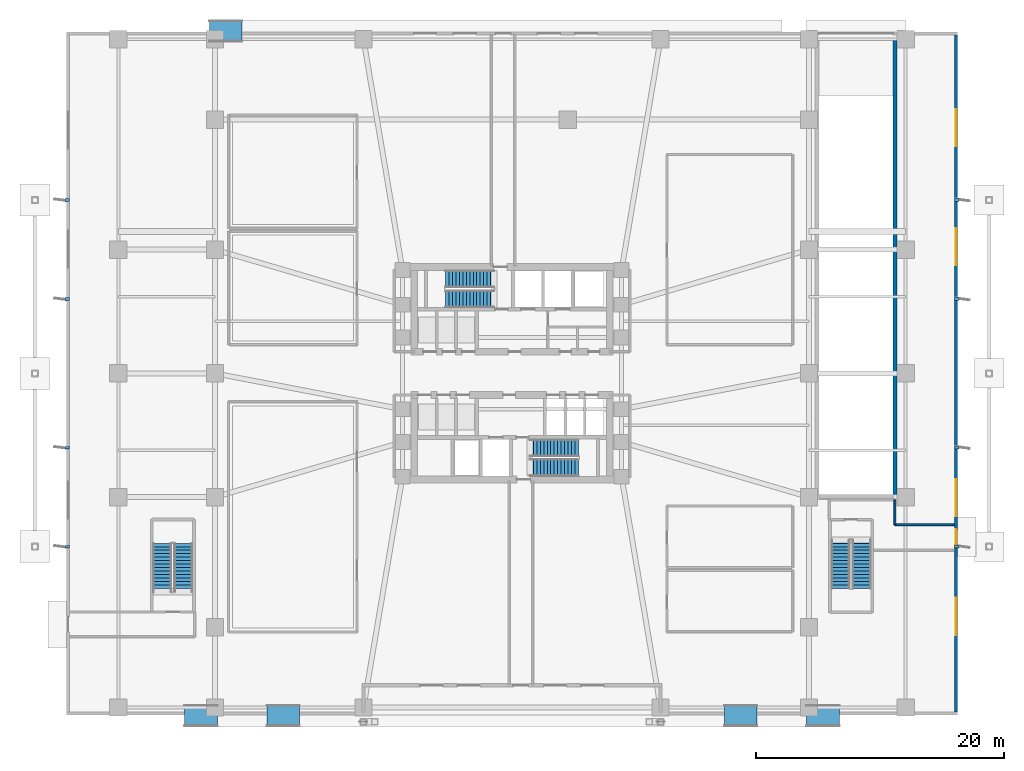
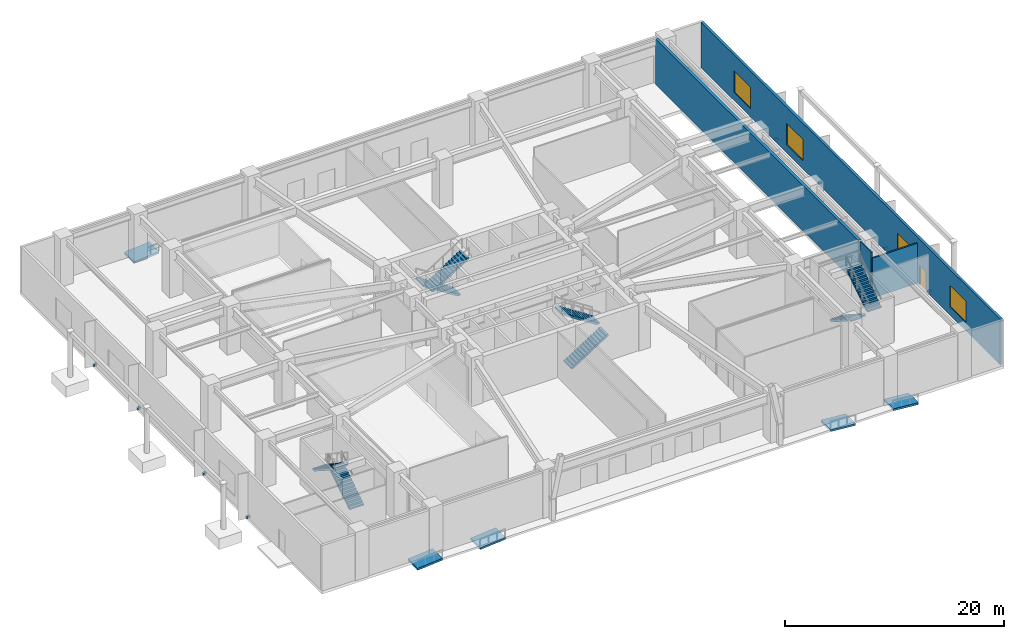
# One storey, part 14 of 20: 8 discrete accessories, 8 stair flights, 5 ramp flights, 4 walls, 4 windows, 1 door, 5 openings, 9 elements without a shape of their own.
"""IFC4 building model written with IfcOpenShell, lengths in metres."""

from ifc_helpers import new_model, si_unit, direction, frame, frame_2d, origin, origin_2d, place, context, subcontext, project, spatial, polyline, rectangle, outline, extrude, material, layer, layer_set, type_object, element, fill, aggregate, save


model = new_model("IFC4")

# Units and contexts
model_context = context("Model", 3, precision=1e-05, world=origin(), true_north=direction((0.0, 1.0)))
body_context = subcontext(model_context, "Body", "Model", "MODEL_VIEW")
ifc_project = project(units=[si_unit("LENGTHUNIT", "METRE"), si_unit("AREAUNIT", "SQUARE_METRE"), si_unit("VOLUMEUNIT", "CUBIC_METRE"), si_unit("PLANEANGLEUNIT", "RADIAN"), si_unit("MASSUNIT", "GRAM", prefix="KILO")], contexts=[model_context])

# Site, building, storey
site_placement = place(None, origin())
site = spatial("IfcSite", under=ifc_project, at=site_placement, CompositionType="ELEMENT")
building_placement = place(site_placement, origin())
building = spatial("IfcBuilding", under=site, at=building_placement, Name="Solmarez Civic Tower", CompositionType="ELEMENT")
storey_placement = place(building_placement, origin())
storey = spatial("IfcBuildingStorey", under=building, at=storey_placement, Name="L00", CompositionType="ELEMENT", Elevation=0.0)

# Wall, openings, door, windows
ifc_material_1 = material(Name="Precast concrete C40/50", Category="concrete")
ifc_layer_1 = layer(ifc_material_1, 0.260009765625)
ifc_layer_set_1 = layer_set([ifc_layer_1], Name="Precast concrete C40/50")
wall_type_1 = type_object("IfcWallType", Name="WALL-EXT-260", PredefinedType="SOLIDWALL", material=ifc_layer_set_1)
wall_1_placement = place(storey_placement, frame((35.8701171875, 27.340087890625, 0.0), z_axis=(0.0, 0.0, 1.0), x_axis=(0.0, -1.0, 0.0)))
wall_1 = element("IfcWall", 1, at=wall_1_placement, inside=storey, type_object=wall_type_1, Name="L00 East Exterior Precast Wall", PredefinedType="SOLIDWALL", context=body_context, shape_type="SweptSolid", body=[
    extrude(rectangle(XDim=54.68017578125, YDim=0.260009765625, at=frame_2d((27.340087890625, 0.0))), origin(), (0.0, 0.0, 1.0), 5.080078125),
])
opening_1_placement = place(wall_1_placement, frame((39.93994140625, 0.0, 0.0)))
opening_1 = element("IfcOpeningElement", 2, at=opening_1_placement, cuts=wall_1, Name="Opening D-03", PredefinedType="OPENING", context=body_context, shape_type="SweptSolid", body=[
    extrude(rectangle(XDim=1.199951171875, YDim=2.14990234375, at=frame_2d((0.60009765625, 1.074951171875))), frame((0.0, 0.139892578125, 0.0), z_axis=(0.0, -1.0, 0.0), x_axis=(1.0, 0.0, 0.0)), (0.0, 0.0, 1.0), 0.280029296875),
])
opening_2_placement = place(wall_1_placement, frame((6.0, 0.0, 0.89990234375)))
opening_2 = element("IfcOpeningElement", 3, at=opening_2_placement, cuts=wall_1, Name="Opening W-15", PredefinedType="OPENING", context=body_context, shape_type="SweptSolid", body=[
    extrude(rectangle(XDim=3.0, YDim=2.39990234375, at=frame_2d((1.5, 1.199951171875))), frame((0.0, 0.139892578125, 0.0), z_axis=(0.0, -1.0, 0.0), x_axis=(1.0, 0.0, 0.0)), (0.0, 0.0, 1.0), 0.280029296875),
])
opening_3_placement = place(wall_1_placement, frame((15.60009765625, 0.0, 0.89990234375)))
opening_3 = element("IfcOpeningElement", 4, at=opening_3_placement, cuts=wall_1, Name="Opening W-15", PredefinedType="OPENING", context=body_context, shape_type="SweptSolid", body=[
    extrude(rectangle(XDim=3.0, YDim=2.39990234375, at=frame_2d((1.5, 1.199951171875))), frame((0.0, 0.139892578125, 0.0), z_axis=(0.0, -1.0, 0.0), x_axis=(1.0, 0.0, 0.0)), (0.0, 0.0, 1.0), 0.280029296875),
])
opening_4_placement = place(wall_1_placement, frame((35.8798828125, 0.0, 0.89990234375)))
opening_4 = element("IfcOpeningElement", 5, at=opening_4_placement, cuts=wall_1, Name="Opening W-15", PredefinedType="OPENING", context=body_context, shape_type="SweptSolid", body=[
    extrude(rectangle(XDim=3.0, YDim=2.39990234375, at=frame_2d((1.5, 1.199951171875))), frame((0.0, 0.139892578125, 0.0), z_axis=(0.0, -1.0, 0.0), x_axis=(1.0, 0.0, 0.0)), (0.0, 0.0, 1.0), 0.280029296875),
])
opening_5_placement = place(wall_1_placement, frame((45.47998046875, 0.0, 0.89990234375)))
opening_5 = element("IfcOpeningElement", 6, at=opening_5_placement, cuts=wall_1, Name="Opening W-15", PredefinedType="OPENING", context=body_context, shape_type="SweptSolid", body=[
    extrude(rectangle(XDim=3.0, YDim=2.39990234375, at=frame_2d((1.5, 1.199951171875))), frame((0.0, 0.139892578125, 0.0), z_axis=(0.0, -1.0, 0.0), x_axis=(1.0, 0.0, 0.0)), (0.0, 0.0, 1.0), 0.280029296875),
])
ifc_material_2 = material(Name="Stainless Steel Fire Exit Door", Category="steel")
door_type = type_object("IfcDoorType", Name="DOOR-EXIT-1200", OperationType="NOTDEFINED", PredefinedType="DOOR", material=ifc_material_2)
door_placement = place(opening_1_placement, origin())
door = element("IfcDoor", 7, at=door_placement, inside=storey, type_object=door_type, Name="L00 East Stair Final Exit Door", OperationType="SINGLE_SWING_LEFT", OverallHeight=2.14990234375, OverallWidth=1.199951171875, PredefinedType="DOOR", context=body_context, shape_type="SweptSolid", body=[
    extrude(rectangle(XDim=1.199951171875, YDim=2.14990234375, at=frame_2d((0.60009765625, 1.074951171875))), frame((0.0, 0.02490234375, 0.0), z_axis=(0.0, -1.0, 0.0), x_axis=(1.0, 0.0, 0.0)), (0.0, 0.0, 1.0), 0.050048828125),
])
fill(opening_1, door)
ifc_material_3 = material(Name="Solar Control Bronze-Tinted Insulating Glass", Category="glass")
window_type = type_object("IfcWindowType", Name="WIN-3000X2400", PartitioningType="SINGLE_PANEL", PredefinedType="WINDOW", material=ifc_material_3)
window_1_placement = place(opening_2_placement, origin())
window_1 = element("IfcWindow", 8, at=window_1_placement, inside=storey, type_object=window_type, Name="L00 Podium Facade Window 1", OverallHeight=2.39990234375, OverallWidth=3.0, PartitioningType="SINGLE_PANEL", PredefinedType="WINDOW", context=body_context, shape_type="SweptSolid", body=[
    extrude(rectangle(XDim=3.0, YDim=2.39990234375, at=frame_2d((1.5, 1.199951171875))), frame((0.0, 0.030029296875, 0.0), z_axis=(0.0, -1.0, 0.0), x_axis=(1.0, 0.0, 0.0)), (0.0, 0.0, 1.0), 0.06005859375),
])
fill(opening_2, window_1)
window_2_placement = place(opening_3_placement, origin())
window_2 = element("IfcWindow", 9, at=window_2_placement, inside=storey, type_object=window_type, Name="L00 Podium Facade Window 2", OverallHeight=2.39990234375, OverallWidth=3.0, PartitioningType="SINGLE_PANEL", PredefinedType="WINDOW", context=body_context, shape_type="SweptSolid", body=[
    extrude(rectangle(XDim=3.0, YDim=2.39990234375, at=frame_2d((1.5, 1.199951171875))), frame((0.0, 0.030029296875, 0.0), z_axis=(0.0, -1.0, 0.0), x_axis=(1.0, 0.0, 0.0)), (0.0, 0.0, 1.0), 0.06005859375),
])
fill(opening_3, window_2)
window_3_placement = place(opening_4_placement, origin())
window_3 = element("IfcWindow", 10, at=window_3_placement, inside=storey, type_object=window_type, Name="L00 Podium Facade Window 3", OverallHeight=2.39990234375, OverallWidth=3.0, PartitioningType="SINGLE_PANEL", PredefinedType="WINDOW", context=body_context, shape_type="SweptSolid", body=[
    extrude(rectangle(XDim=3.0, YDim=2.39990234375, at=frame_2d((1.5, 1.199951171875))), frame((0.0, 0.030029296875, 0.0), z_axis=(0.0, -1.0, 0.0), x_axis=(1.0, 0.0, 0.0)), (0.0, 0.0, 1.0), 0.06005859375),
])
fill(opening_4, window_3)
window_4_placement = place(opening_5_placement, origin())
window_4 = element("IfcWindow", 11, at=window_4_placement, inside=storey, type_object=window_type, Name="L00 Podium Facade Window 4", OverallHeight=2.39990234375, OverallWidth=3.0, PartitioningType="SINGLE_PANEL", PredefinedType="WINDOW", context=body_context, shape_type="SweptSolid", body=[
    extrude(rectangle(XDim=3.0, YDim=2.39990234375, at=frame_2d((1.5, 1.199951171875))), frame((0.0, 0.030029296875, 0.0), z_axis=(0.0, -1.0, 0.0), x_axis=(1.0, 0.0, 0.0)), (0.0, 0.0, 1.0), 0.06005859375),
])
fill(opening_5, window_4)

# Walls
ifc_material_4 = material(Name="Gypsum Board Acoustic Steel-Stud Partition", Category="steel")
ifc_layer_2 = layer(ifc_material_4, 0.14990234375)
ifc_layer_set_2 = layer_set([ifc_layer_2], Name="Gypsum Board Acoustic Steel-Stud Partition")
wall_type_2 = type_object("IfcWallType", Name="WALL-INT-FIRE-150", PredefinedType="PARTITIONING", material=ifc_layer_set_2)
wall_2_placement = place(storey_placement, frame((30.929931640625, -12.219970703125, 0.0), z_axis=(0.0, 0.0, 1.0), x_axis=(0.0, 1.0, 0.0)))
element("IfcWall", 12, at=wall_2_placement, inside=storey, type_object=wall_type_2, Name="L00 Interior Partition EPW-EN2-L00", PredefinedType="PARTITIONING", context=body_context, shape_type="SweptSolid", body=[
    extrude(rectangle(XDim=2.0, YDim=0.14990234375, at=frame_2d((1.0, 0.0))), origin(), (0.0, 0.0, 1.0), 5.080078125),
])
wall_3_placement = place(storey_placement, frame((30.929931640625, -12.219970703125, 0.0), z_axis=(0.0, 0.0, 1.0), x_axis=(1.0, 0.0, 0.0)))
element("IfcWall", 13, at=wall_3_placement, inside=storey, type_object=wall_type_2, Name="L00 Interior Partition EPW-EN3-L00", PredefinedType="PARTITIONING", context=body_context, shape_type="SweptSolid", body=[
    extrude(rectangle(XDim=4.7900390625, YDim=0.14990234375, at=frame_2d((2.39501953125, 0.0))), origin(), (0.0, 0.0, 1.0), 4.4599609375),
])
ifc_material_5 = material(Name="Concrete C50/60", Category="concrete")
ifc_layer_3 = layer(ifc_material_5, 0.300048828125)
ifc_layer_set_3 = layer_set([ifc_layer_3], Name="Concrete C50/60")
wall_type_3 = type_object("IfcWallType", Name="WALL-STR-300", PredefinedType="SOLIDWALL", material=ifc_layer_set_3)
wall_4_placement = place(storey_placement, frame((30.949951171875, 27.10009765625, 0.0), z_axis=(0.0, 0.0, 1.0), x_axis=(0.0, -1.0, 0.0)))
element("IfcWall", 14, at=wall_4_placement, inside=storey, type_object=wall_type_3, Name="L00 Vehicle Ramp Structural Shaft Wall SW-RAMP-E-L00", PredefinedType="SOLIDWALL", context=body_context, shape_type="SweptSolid", body=[
    extrude(rectangle(XDim=37.050048828125, YDim=0.300048828125, at=frame_2d((18.52490234375, 0.0))), origin(), (0.0, 0.0, 1.0), 5.080078125),
])

# Stair, stair flights
stair_type_1 = type_object("IfcStairType", Name="STAIR-DOGLEG-140W-30R-1800", PredefinedType="HALF_TURN_STAIR", material=ifc_material_5)
stair_1_placement = place(storey_placement, origin())
stair_1 = element("IfcStair", 15, at=stair_1_placement, inside=storey, type_object=stair_type_1, Name="L00 North Core Protected Exit Stair ST-1", PredefinedType="HALF_TURN_STAIR")
stair_flight_type_1 = type_object("IfcStairFlightType", Name="FLIGHT-DOGLEG-140W-15R-1800", PredefinedType="STRAIGHT", material=ifc_material_5)
stair_flight_1_placement = place(storey_placement, frame((-1.449951171875, 7.6201171875, 0.0), z_axis=(0.0, 0.0, 1.0), x_axis=(-1.0, 0.0, 0.0)))
stair_flight_1 = element("IfcStairFlight", 16, at=stair_flight_1_placement, type_object=stair_flight_type_1, Name="ST-1 flight 1", NumberOfRisers=15, NumberOfTreads=14, PredefinedType="STRAIGHT", RiserHeight=0.18, TreadLength=0.28, context=body_context, shape_type="SweptSolid", body=[
    extrude(outline(polyline([(0.0, 0.0), (0.0, 0.179931640625), (0.280029296875, 0.179931640625), (0.280029296875, 0.360107421875), (0.56005859375, 0.360107421875), (0.56005859375, 0.5400390625), (0.840087890625, 0.5400390625), (0.840087890625, 0.719970703125), (1.1201171875, 0.719970703125), (1.1201171875, 0.89990234375), (1.39990234375, 0.89990234375), (1.39990234375, 1.080078125), (1.679931640625, 1.080078125), (1.679931640625, 1.260009765625), (1.9599609375, 1.260009765625), (1.9599609375, 1.43994140625), (2.239990234375, 1.43994140625), (2.239990234375, 1.6201171875), (2.52001953125, 1.6201171875), (2.52001953125, 1.800048828125), (2.800048828125, 1.800048828125), (2.800048828125, 1.97998046875), (3.080078125, 1.97998046875), (3.080078125, 2.159912109375), (3.360107421875, 2.159912109375), (3.360107421875, 2.340087890625), (3.639892578125, 2.340087890625), (3.639892578125, 2.52001953125), (3.919921875, 2.52001953125), (3.919921875, 2.699951171875), (3.919921875, 2.329833984375), (0.295654296875, 0.0), (0.0, 0.0)])), frame((0.0, 0.699951171875, 0.0), z_axis=(0.0, -1.0, 0.0), x_axis=(1.0, 0.0, 0.0)), (0.0, 0.0, 1.0), 1.39990234375),
])
stair_flight_2_placement = place(storey_placement, frame((-5.3701171875, 6.02001953125, 2.699951171875), z_axis=(0.0, 0.0, 1.0), x_axis=(1.0, 0.0, 0.0)))
stair_flight_2 = element("IfcStairFlight", 17, at=stair_flight_2_placement, type_object=stair_flight_type_1, Name="ST-1 flight 2", NumberOfRisers=15, NumberOfTreads=14, PredefinedType="STRAIGHT", RiserHeight=0.18, TreadLength=0.28, context=body_context, shape_type="SweptSolid", body=[
    extrude(outline(polyline([(0.0, 0.0), (0.0, 0.179931640625), (0.280029296875, 0.179931640625), (0.280029296875, 0.360107421875), (0.56005859375, 0.360107421875), (0.56005859375, 0.5400390625), (0.840087890625, 0.5400390625), (0.840087890625, 0.719970703125), (1.1201171875, 0.719970703125), (1.1201171875, 0.89990234375), (1.39990234375, 0.89990234375), (1.39990234375, 1.080078125), (1.679931640625, 1.080078125), (1.679931640625, 1.260009765625), (1.9599609375, 1.260009765625), (1.9599609375, 1.43994140625), (2.239990234375, 1.43994140625), (2.239990234375, 1.6201171875), (2.52001953125, 1.6201171875), (2.52001953125, 1.800048828125), (2.800048828125, 1.800048828125), (2.800048828125, 1.97998046875), (3.080078125, 1.97998046875), (3.080078125, 2.159912109375), (3.360107421875, 2.159912109375), (3.360107421875, 2.340087890625), (3.639892578125, 2.340087890625), (3.639892578125, 2.52001953125), (3.919921875, 2.52001953125), (3.919921875, 2.699951171875), (3.919921875, 2.329833984375), (0.295654296875, 0.0), (0.0, 0.0)])), frame((0.0, 0.699951171875, 0.0), z_axis=(0.0, -1.0, 0.0), x_axis=(1.0, 0.0, 0.0)), (0.0, 0.0, 1.0), 1.39990234375),
])
aggregate(stair_1, [stair_flight_1, stair_flight_2])

stair_2_placement = place(storey_placement, origin())
stair_2 = element("IfcStair", 18, at=stair_2_placement, inside=storey, type_object=stair_type_1, Name="L00 South Core Protected Exit Stair ST-2", PredefinedType="HALF_TURN_STAIR")
stair_flight_3_placement = place(storey_placement, frame((1.449951171875, -7.6201171875, 0.0), z_axis=(0.0, 0.0, 1.0), x_axis=(1.0, 0.0, 0.0)))
stair_flight_3 = element("IfcStairFlight", 19, at=stair_flight_3_placement, type_object=stair_flight_type_1, Name="ST-2 flight 1", NumberOfRisers=15, NumberOfTreads=14, PredefinedType="STRAIGHT", RiserHeight=0.18, TreadLength=0.28, context=body_context, shape_type="SweptSolid", body=[
    extrude(outline(polyline([(0.0, 0.0), (0.0, 0.179931640625), (0.280029296875, 0.179931640625), (0.280029296875, 0.360107421875), (0.56005859375, 0.360107421875), (0.56005859375, 0.5400390625), (0.840087890625, 0.5400390625), (0.840087890625, 0.719970703125), (1.1201171875, 0.719970703125), (1.1201171875, 0.89990234375), (1.39990234375, 0.89990234375), (1.39990234375, 1.080078125), (1.679931640625, 1.080078125), (1.679931640625, 1.260009765625), (1.9599609375, 1.260009765625), (1.9599609375, 1.43994140625), (2.239990234375, 1.43994140625), (2.239990234375, 1.6201171875), (2.52001953125, 1.6201171875), (2.52001953125, 1.800048828125), (2.800048828125, 1.800048828125), (2.800048828125, 1.97998046875), (3.080078125, 1.97998046875), (3.080078125, 2.159912109375), (3.360107421875, 2.159912109375), (3.360107421875, 2.340087890625), (3.639892578125, 2.340087890625), (3.639892578125, 2.52001953125), (3.919921875, 2.52001953125), (3.919921875, 2.699951171875), (3.919921875, 2.329833984375), (0.295654296875, 0.0), (0.0, 0.0)])), frame((0.0, 0.699951171875, 0.0), z_axis=(0.0, -1.0, 0.0), x_axis=(1.0, 0.0, 0.0)), (0.0, 0.0, 1.0), 1.39990234375),
])
stair_flight_4_placement = place(storey_placement, frame((5.3701171875, -6.02001953125, 2.699951171875), z_axis=(0.0, 0.0, 1.0), x_axis=(-1.0, 0.0, 0.0)))
stair_flight_4 = element("IfcStairFlight", 20, at=stair_flight_4_placement, type_object=stair_flight_type_1, Name="ST-2 flight 2", NumberOfRisers=15, NumberOfTreads=14, PredefinedType="STRAIGHT", RiserHeight=0.18, TreadLength=0.28, context=body_context, shape_type="SweptSolid", body=[
    extrude(outline(polyline([(0.0, 0.0), (0.0, 0.179931640625), (0.280029296875, 0.179931640625), (0.280029296875, 0.360107421875), (0.56005859375, 0.360107421875), (0.56005859375, 0.5400390625), (0.840087890625, 0.5400390625), (0.840087890625, 0.719970703125), (1.1201171875, 0.719970703125), (1.1201171875, 0.89990234375), (1.39990234375, 0.89990234375), (1.39990234375, 1.080078125), (1.679931640625, 1.080078125), (1.679931640625, 1.260009765625), (1.9599609375, 1.260009765625), (1.9599609375, 1.43994140625), (2.239990234375, 1.43994140625), (2.239990234375, 1.6201171875), (2.52001953125, 1.6201171875), (2.52001953125, 1.800048828125), (2.800048828125, 1.800048828125), (2.800048828125, 1.97998046875), (3.080078125, 1.97998046875), (3.080078125, 2.159912109375), (3.360107421875, 2.159912109375), (3.360107421875, 2.340087890625), (3.639892578125, 2.340087890625), (3.639892578125, 2.52001953125), (3.919921875, 2.52001953125), (3.919921875, 2.699951171875), (3.919921875, 2.329833984375), (0.295654296875, 0.0), (0.0, 0.0)])), frame((0.0, 0.699951171875, 0.0), z_axis=(0.0, -1.0, 0.0), x_axis=(1.0, 0.0, 0.0)), (0.0, 0.0, 1.0), 1.39990234375),
])
aggregate(stair_2, [stair_flight_3, stair_flight_4])

stair_type_2 = type_object("IfcStairType", Name="STAIR-DOGLEG-150W-30R-1800", PredefinedType="HALF_TURN_STAIR", material=ifc_material_5)
stair_3_placement = place(storey_placement, origin())
stair_3 = element("IfcStair", 21, at=stair_3_placement, inside=storey, type_object=stair_type_2, Name="L00 West Podium Exit Stair ST-P1", PredefinedType="HALF_TURN_STAIR")
stair_flight_type_2 = type_object("IfcStairFlightType", Name="FLIGHT-DOGLEG-150W-15R-1800", PredefinedType="STRAIGHT", material=ifc_material_5)
stair_flight_5_placement = place(storey_placement, frame((-26.550048828125, -17.64990234375, 0.0), z_axis=(0.0, 0.0, 1.0), x_axis=(0.0, 1.0, 0.0)))
stair_flight_5 = element("IfcStairFlight", 22, at=stair_flight_5_placement, type_object=stair_flight_type_2, Name="ST-P1 flight 1", NumberOfRisers=15, NumberOfTreads=14, PredefinedType="STRAIGHT", RiserHeight=0.18, TreadLength=0.28, context=body_context, shape_type="SweptSolid", body=[
    extrude(outline(polyline([(0.0, 0.0), (0.0, 0.179931640625), (0.280029296875, 0.179931640625), (0.280029296875, 0.360107421875), (0.56005859375, 0.360107421875), (0.56005859375, 0.5400390625), (0.840087890625, 0.5400390625), (0.840087890625, 0.719970703125), (1.1201171875, 0.719970703125), (1.1201171875, 0.89990234375), (1.39990234375, 0.89990234375), (1.39990234375, 1.080078125), (1.679931640625, 1.080078125), (1.679931640625, 1.260009765625), (1.9599609375, 1.260009765625), (1.9599609375, 1.43994140625), (2.239990234375, 1.43994140625), (2.239990234375, 1.6201171875), (2.52001953125, 1.6201171875), (2.52001953125, 1.800048828125), (2.800048828125, 1.800048828125), (2.800048828125, 1.97998046875), (3.080078125, 1.97998046875), (3.080078125, 2.159912109375), (3.360107421875, 2.159912109375), (3.360107421875, 2.340087890625), (3.639892578125, 2.340087890625), (3.639892578125, 2.52001953125), (3.919921875, 2.52001953125), (3.919921875, 2.699951171875), (3.919921875, 2.329833984375), (0.295654296875, 0.0), (0.0, 0.0)])), frame((0.0, 0.75, 0.0), z_axis=(0.0, -1.0, 0.0), x_axis=(1.0, 0.0, 0.0)), (0.0, 0.0, 1.0), 1.5),
])
stair_flight_6_placement = place(storey_placement, frame((-28.25, -13.72998046875, 2.699951171875), z_axis=(0.0, 0.0, 1.0), x_axis=(0.0, -1.0, 0.0)))
stair_flight_6 = element("IfcStairFlight", 23, at=stair_flight_6_placement, type_object=stair_flight_type_2, Name="ST-P1 flight 2", NumberOfRisers=15, NumberOfTreads=14, PredefinedType="STRAIGHT", RiserHeight=0.18, TreadLength=0.28, context=body_context, shape_type="SweptSolid", body=[
    extrude(outline(polyline([(0.0, 0.0), (0.0, 0.179931640625), (0.280029296875, 0.179931640625), (0.280029296875, 0.360107421875), (0.56005859375, 0.360107421875), (0.56005859375, 0.5400390625), (0.840087890625, 0.5400390625), (0.840087890625, 0.719970703125), (1.1201171875, 0.719970703125), (1.1201171875, 0.89990234375), (1.39990234375, 0.89990234375), (1.39990234375, 1.080078125), (1.679931640625, 1.080078125), (1.679931640625, 1.260009765625), (1.9599609375, 1.260009765625), (1.9599609375, 1.43994140625), (2.239990234375, 1.43994140625), (2.239990234375, 1.6201171875), (2.52001953125, 1.6201171875), (2.52001953125, 1.800048828125), (2.800048828125, 1.800048828125), (2.800048828125, 1.97998046875), (3.080078125, 1.97998046875), (3.080078125, 2.159912109375), (3.360107421875, 2.159912109375), (3.360107421875, 2.340087890625), (3.639892578125, 2.340087890625), (3.639892578125, 2.52001953125), (3.919921875, 2.52001953125), (3.919921875, 2.699951171875), (3.919921875, 2.329833984375), (0.295654296875, 0.0), (0.0, 0.0)])), frame((0.0, 0.75, 0.0), z_axis=(0.0, -1.0, 0.0), x_axis=(1.0, 0.0, 0.0)), (0.0, 0.0, 1.0), 1.5),
])
aggregate(stair_3, [stair_flight_5, stair_flight_6])

stair_4_placement = place(storey_placement, origin())
stair_4 = element("IfcStair", 24, at=stair_4_placement, inside=storey, type_object=stair_type_2, Name="L00 East Podium Exit Stair ST-P2", PredefinedType="HALF_TURN_STAIR")
stair_flight_7_placement = place(storey_placement, frame((26.550048828125, -13.449951171875, 0.0), z_axis=(0.0, 0.0, 1.0), x_axis=(0.0, -1.0, 0.0)))
stair_flight_7 = element("IfcStairFlight", 25, at=stair_flight_7_placement, type_object=stair_flight_type_2, Name="ST-P2 flight 1", NumberOfRisers=15, NumberOfTreads=14, PredefinedType="STRAIGHT", RiserHeight=0.18, TreadLength=0.28, context=body_context, shape_type="SweptSolid", body=[
    extrude(outline(polyline([(0.0, 0.0), (0.0, 0.179931640625), (0.280029296875, 0.179931640625), (0.280029296875, 0.360107421875), (0.56005859375, 0.360107421875), (0.56005859375, 0.5400390625), (0.840087890625, 0.5400390625), (0.840087890625, 0.719970703125), (1.1201171875, 0.719970703125), (1.1201171875, 0.89990234375), (1.39990234375, 0.89990234375), (1.39990234375, 1.080078125), (1.679931640625, 1.080078125), (1.679931640625, 1.260009765625), (1.9599609375, 1.260009765625), (1.9599609375, 1.43994140625), (2.239990234375, 1.43994140625), (2.239990234375, 1.6201171875), (2.52001953125, 1.6201171875), (2.52001953125, 1.800048828125), (2.800048828125, 1.800048828125), (2.800048828125, 1.97998046875), (3.080078125, 1.97998046875), (3.080078125, 2.159912109375), (3.360107421875, 2.159912109375), (3.360107421875, 2.340087890625), (3.639892578125, 2.340087890625), (3.639892578125, 2.52001953125), (3.919921875, 2.52001953125), (3.919921875, 2.699951171875), (3.919921875, 2.329833984375), (0.295654296875, 0.0), (0.0, 0.0)])), frame((0.0, 0.75, 0.0), z_axis=(0.0, -1.0, 0.0), x_axis=(1.0, 0.0, 0.0)), (0.0, 0.0, 1.0), 1.5),
])
stair_flight_8_placement = place(storey_placement, frame((28.25, -17.3701171875, 2.699951171875), z_axis=(0.0, 0.0, 1.0), x_axis=(0.0, 1.0, 0.0)))
stair_flight_8 = element("IfcStairFlight", 26, at=stair_flight_8_placement, type_object=stair_flight_type_2, Name="ST-P2 flight 2", NumberOfRisers=15, NumberOfTreads=14, PredefinedType="STRAIGHT", RiserHeight=0.18, TreadLength=0.28, context=body_context, shape_type="SweptSolid", body=[
    extrude(outline(polyline([(0.0, 0.0), (0.0, 0.179931640625), (0.280029296875, 0.179931640625), (0.280029296875, 0.360107421875), (0.56005859375, 0.360107421875), (0.56005859375, 0.5400390625), (0.840087890625, 0.5400390625), (0.840087890625, 0.719970703125), (1.1201171875, 0.719970703125), (1.1201171875, 0.89990234375), (1.39990234375, 0.89990234375), (1.39990234375, 1.080078125), (1.679931640625, 1.080078125), (1.679931640625, 1.260009765625), (1.9599609375, 1.260009765625), (1.9599609375, 1.43994140625), (2.239990234375, 1.43994140625), (2.239990234375, 1.6201171875), (2.52001953125, 1.6201171875), (2.52001953125, 1.800048828125), (2.800048828125, 1.800048828125), (2.800048828125, 1.97998046875), (3.080078125, 1.97998046875), (3.080078125, 2.159912109375), (3.360107421875, 2.159912109375), (3.360107421875, 2.340087890625), (3.639892578125, 2.340087890625), (3.639892578125, 2.52001953125), (3.919921875, 2.52001953125), (3.919921875, 2.699951171875), (3.919921875, 2.329833984375), (0.295654296875, 0.0), (0.0, 0.0)])), frame((0.0, 0.75, 0.0), z_axis=(0.0, -1.0, 0.0), x_axis=(1.0, 0.0, 0.0)), (0.0, 0.0, 1.0), 1.5),
])
aggregate(stair_4, [stair_flight_7, stair_flight_8])

# Ramp, ramp flight
ifc_material_6 = material(Name="Concrete C45/55", Category="concrete")
ramp_type = type_object("IfcRampType", Name="RAMP-ACC-1800", PredefinedType="STRAIGHT_RUN_RAMP", material=ifc_material_6)
ramp_1_placement = place(storey_placement, origin())
ramp_1 = element("IfcRamp", 27, at=ramp_1_placement, inside=storey, type_object=ramp_type, Name="South-Central West Plaza Accessible Ramp AR4", PredefinedType="STRAIGHT_RUN_RAMP")
ifc_layer_4 = layer(ifc_material_6, 0.219970703125)
ifc_layer_set_4 = layer_set([ifc_layer_4], Name="Concrete C45/55")
ramp_flight_type = type_object("IfcRampFlightType", Name="RAMPFL-ACC-220", PredefinedType="STRAIGHT", material=ifc_layer_set_4)
ramp_flight_1_placement = place(storey_placement, frame((-19.800048828125, -27.64990234375, -0.219970703125), z_axis=(0.0, 0.0, 1.0), x_axis=(1.0, 0.0, 0.0)))
ramp_flight_1 = element("IfcRampFlight", 28, at=ramp_flight_1_placement, type_object=ramp_flight_type, Name="South-Central West Plaza Accessible Ramp AR4 Flight 1", PredefinedType="STRAIGHT", context=body_context, shape_type="SweptSolid", body=[
    extrude(outline(polyline([(0.0, 0.0), (2.64013671875, 0.219970703125), (2.64013671875, 0.0), (0.0, -0.219970703125), (0.0, 0.0)])), frame((0.0, 0.89990234375, 0.0), z_axis=(0.0, -1.0, 0.0), x_axis=(1.0, 0.0, 0.0)), (0.0, 0.0, 1.0), 1.800048828125),
])
aggregate(ramp_1, [ramp_flight_1])

ramp_2_placement = place(storey_placement, origin())
ramp_2 = element("IfcRamp", 29, at=ramp_2_placement, inside=storey, type_object=ramp_type, Name="South-Central East Plaza Accessible Ramp AR5", PredefinedType="STRAIGHT_RUN_RAMP")
ramp_flight_2_placement = place(storey_placement, frame((19.800048828125, -27.64990234375, -0.219970703125), z_axis=(0.0, 0.0, 1.0), x_axis=(-1.0, 0.0, 0.0)))
ramp_flight_2 = element("IfcRampFlight", 30, at=ramp_flight_2_placement, type_object=ramp_flight_type, Name="South-Central East Plaza Accessible Ramp AR5 Flight 1", PredefinedType="STRAIGHT", context=body_context, shape_type="SweptSolid", body=[
    extrude(outline(polyline([(0.0, 0.0), (2.64013671875, 0.219970703125), (2.64013671875, 0.0), (0.0, -0.219970703125), (0.0, 0.0)])), frame((0.0, 0.89990234375, 0.0), z_axis=(0.0, -1.0, 0.0), x_axis=(1.0, 0.0, 0.0)), (0.0, 0.0, 1.0), 1.800048828125),
])
aggregate(ramp_2, [ramp_flight_2])

ramp_3_placement = place(storey_placement, origin())
ramp_3 = element("IfcRamp", 31, at=ramp_3_placement, inside=storey, type_object=ramp_type, Name="South-West Plaza Accessible Ramp AR1", PredefinedType="STRAIGHT_RUN_RAMP")
ramp_flight_3_placement = place(storey_placement, frame((-26.43994140625, -27.64990234375, -0.219970703125), z_axis=(0.0, 0.0, 1.0), x_axis=(1.0, 0.0, 0.0)))
ramp_flight_3 = element("IfcRampFlight", 32, at=ramp_flight_3_placement, type_object=ramp_flight_type, Name="South-West Plaza Accessible Ramp AR1 Flight 1", PredefinedType="STRAIGHT", context=body_context, shape_type="SweptSolid", body=[
    extrude(outline(polyline([(0.0, 0.0), (2.639892578125, 0.219970703125), (2.639892578125, 0.0), (0.0, -0.219970703125), (0.0, 0.0)])), frame((0.0, 0.89990234375, 0.0), z_axis=(0.0, -1.0, 0.0), x_axis=(1.0, 0.0, 0.0)), (0.0, 0.0, 1.0), 1.800048828125),
])
aggregate(ramp_3, [ramp_flight_3])

ramp_4_placement = place(storey_placement, origin())
ramp_4 = element("IfcRamp", 33, at=ramp_4_placement, inside=storey, type_object=ramp_type, Name="South-East Plaza Accessible Ramp AR2", PredefinedType="STRAIGHT_RUN_RAMP")
ramp_flight_4_placement = place(storey_placement, frame((26.43994140625, -27.64990234375, -0.219970703125), z_axis=(0.0, 0.0, 1.0), x_axis=(-1.0, 0.0, 0.0)))
ramp_flight_4 = element("IfcRampFlight", 34, at=ramp_flight_4_placement, type_object=ramp_flight_type, Name="South-East Plaza Accessible Ramp AR2 Flight 1", PredefinedType="STRAIGHT", context=body_context, shape_type="SweptSolid", body=[
    extrude(outline(polyline([(0.0, 0.0), (2.639892578125, 0.219970703125), (2.639892578125, 0.0), (0.0, -0.219970703125), (0.0, 0.0)])), frame((0.0, 0.89990234375, 0.0), z_axis=(0.0, -1.0, 0.0), x_axis=(1.0, 0.0, 0.0)), (0.0, 0.0, 1.0), 1.800048828125),
])
aggregate(ramp_4, [ramp_flight_4])

ramp_5_placement = place(storey_placement, origin())
ramp_5 = element("IfcRamp", 35, at=ramp_5_placement, inside=storey, type_object=ramp_type, Name="North Plaza Accessible Ramp AR3", PredefinedType="STRAIGHT_RUN_RAMP")
ramp_flight_5_placement = place(storey_placement, frame((-24.43994140625, 27.64990234375, -0.219970703125), z_axis=(0.0, 0.0, 1.0), x_axis=(1.0, 0.0, 0.0)))
ramp_flight_5 = element("IfcRampFlight", 36, at=ramp_flight_5_placement, type_object=ramp_flight_type, Name="North Plaza Accessible Ramp AR3 Flight 1", PredefinedType="STRAIGHT", context=body_context, shape_type="SweptSolid", body=[
    extrude(outline(polyline([(0.0, 0.0), (2.639892578125, 0.219970703125), (2.639892578125, 0.0), (0.0, -0.219970703125), (0.0, 0.0)])), frame((0.0, 0.89990234375, 0.0), z_axis=(0.0, -1.0, 0.0), x_axis=(1.0, 0.0, 0.0)), (0.0, 0.0, 1.0), 1.800048828125),
])
aggregate(ramp_5, [ramp_flight_5])

# Discrete accessories
ifc_material_7 = material(Name="Stainless Steel Grade 1.4401", Category="steel")
discrete_accessory_type = type_object("IfcDiscreteAccessoryType", Name="BRACKET-SS-FIN", PredefinedType="BRACKET", material=ifc_material_7)
for number, where, z_axis, x_axis, name in (
    (37, (35.949951171875, -14.0, -0.06005859375), (0.0, 0.0, 1.0), (1.0, 0.0, 0.0), "L00 Stainless Fin Support Bracket FIN-L00-E1"),
    (38, (35.949951171875, -6.0, -0.06005859375), (0.0, 0.0, 1.0), (1.0, 0.0, 0.0), "L00 Stainless Fin Support Bracket FIN-L00-E2"),
    (39, (35.949951171875, 6.0, -0.06005859375), (0.0, 0.0, 1.0), (1.0, 0.0, 0.0), "L00 Stainless Fin Support Bracket FIN-L00-E3"),
    (40, (35.949951171875, 14.0, -0.06005859375), (0.0, 0.0, 1.0), (1.0, 0.0, 0.0), "L00 Stainless Fin Support Bracket FIN-L00-E4"),
    (41, (-35.949951171875, -14.0, -0.06005859375), (0.0, 0.0, 1.0), (-1.0, 0.0, 0.0), "L00 Stainless Fin Support Bracket FIN-L00-W1"),
    (42, (-35.949951171875, -6.0, -0.06005859375), (0.0, 0.0, 1.0), (-1.0, 0.0, 0.0), "L00 Stainless Fin Support Bracket FIN-L00-W2"),
    (43, (-35.949951171875, 6.0, -0.06005859375), (0.0, 0.0, 1.0), (-1.0, 0.0, 0.0), "L00 Stainless Fin Support Bracket FIN-L00-W3"),
    (44, (-35.949951171875, 14.0, -0.06005859375), (0.0, 0.0, 1.0), (-1.0, 0.0, 0.0), "L00 Stainless Fin Support Bracket FIN-L00-W4"),
):
    element("IfcDiscreteAccessory", number, at=place(storey_placement, frame(where, z_axis=z_axis, x_axis=x_axis)), inside=storey, type_object=discrete_accessory_type, Name=name, PredefinedType="BRACKET", context=body_context, shape_type="SweptSolid", body=[
        extrude(rectangle(XDim=0.360107421875, YDim=0.219970703125, at=origin_2d()), origin(), (0.0, 0.0, 1.0), 0.239990234375),
    ])

save(model, "model.ifc")
